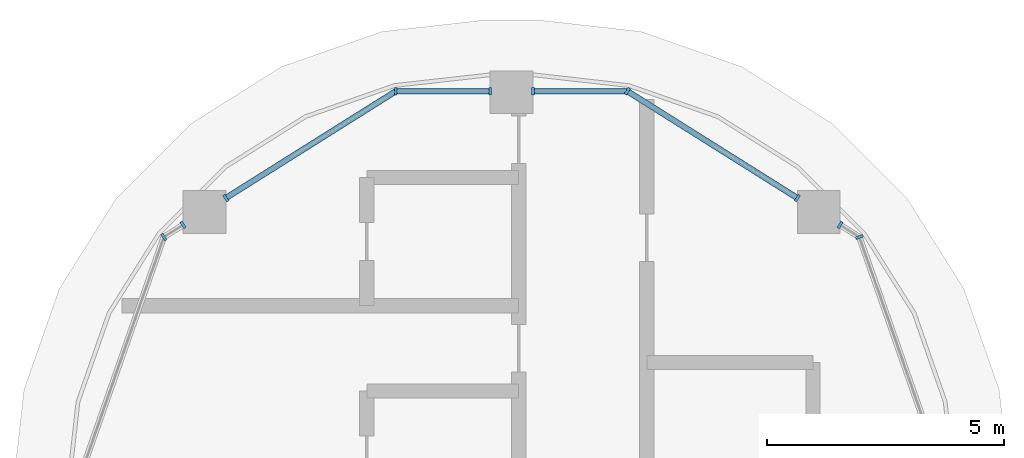
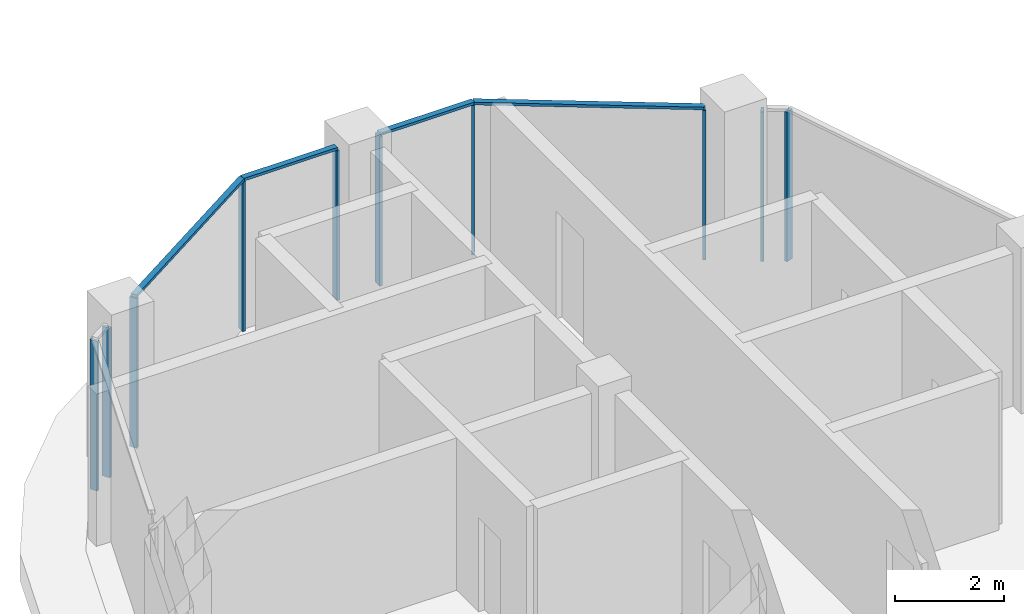
# One storey, part 5 of 20: 14 members, 4 elements without a shape of their own.
"""IFC4 building model written with IfcOpenShell, lengths in metres."""

from ifc_helpers import new_model, si_unit, direction, frame, origin, origin_2d, place, context, subcontext, project, spatial, rectangle, extrude, material, material_profile, profile_set, type_object, element, aggregate, save


model = new_model("IFC4")

# Units and contexts
model_context = context("Model", 3, precision=1e-05, world=origin(), true_north=direction((0.0, 1.0)))
body_context = subcontext(model_context, "Body", "Model", "MODEL_VIEW")
ifc_project = project(units=[si_unit("LENGTHUNIT", "METRE"), si_unit("AREAUNIT", "SQUARE_METRE"), si_unit("VOLUMEUNIT", "CUBIC_METRE"), si_unit("PLANEANGLEUNIT", "RADIAN"), si_unit("MASSUNIT", "GRAM", prefix="KILO")], contexts=[model_context])

# Site, building, storey
site_placement = place(None, origin())
site = spatial("IfcSite", under=ifc_project, at=site_placement, CompositionType="ELEMENT")
building_placement = place(site_placement, origin())
building = spatial("IfcBuilding", under=site, at=building_placement, Name="Ogive Portal Towers", CompositionType="ELEMENT")
storey_placement = place(building_placement, frame((0.0, 0.0, 214.300048828125)))
storey = spatial("IfcBuildingStorey", under=building, at=storey_placement, Name="L53", CompositionType="ELEMENT", Elevation=214.300048828125)

# Curtain wall, members
ifc_material_1 = material(Name="Glass, clear low-iron insulated glazing", Category="glass")
curtain_wall_type = type_object("IfcCurtainWallType", Name="CW FRONT RIBBON 4500", PredefinedType="NOTDEFINED", material=ifc_material_1)
curtain_wall_1_placement = place(storey_placement, origin())
curtain_wall_1 = element("IfcCurtainWall", 1, at=curtain_wall_1_placement, inside=storey, type_object=curtain_wall_type, Name="A:L53:f07:cwa~0", PredefinedType="NOTDEFINED")
ifc_material_2 = material(Name="Aluminium 6063 anodised", Category="aluminium")
ifc_material_profile_1 = material_profile(ifc_material_2, rectangle(XDim=0.159912109375, YDim=0.06005859375, at=origin_2d()), Name="AL 60x160")
ifc_profile_set_1 = profile_set([ifc_material_profile_1], Name="Aluminium 6063 anodised")
member_type_1 = type_object("IfcMemberType", Name="CW MULLION 60x160", PredefinedType="MULLION", material=ifc_profile_set_1)
member_1_placement = place(storey_placement, frame((47.82958984375, 54.4462890625, 0.0), z_axis=(0.0, 0.0, 1.0), x_axis=(-0.943883330307, -0.33027906196, 0.0)))
member_1 = element("IfcMember", 2, at=member_1_placement, type_object=member_type_1, Name="mullion", PredefinedType="MULLION", context=body_context, shape_type="SweptSolid", body=[
    extrude(rectangle(XDim=0.159912109375, YDim=0.06005859375, at=origin_2d()), origin(), (0.0, 0.0, 1.0), 3.33984375),
])
member_2_placement = place(storey_placement, frame((47.423095703125, 54.70166015625, 0.0), z_axis=(0.0, 0.0, 1.0), x_axis=(-0.532032076517, -0.846724199227, 0.0)))
member_2 = element("IfcMember", 3, at=member_2_placement, type_object=member_type_1, Name="mullion", PredefinedType="MULLION", context=body_context, shape_type="SweptSolid", body=[
    extrude(rectangle(XDim=0.159912109375, YDim=0.06005859375, at=origin_2d()), origin(), (0.0, 0.0, 1.0), 3.33984375),
])
aggregate(curtain_wall_1, [member_1, member_2])

curtain_wall_2_placement = place(storey_placement, origin())
curtain_wall_2 = element("IfcCurtainWall", 4, at=curtain_wall_2_placement, inside=storey, type_object=curtain_wall_type, Name="A:L53:f07:cwa~1", PredefinedType="NOTDEFINED")
member_3_placement = place(storey_placement, frame((46.52294921875, 55.267333984375, 0.0), z_axis=(0.0, 0.0, 1.0), x_axis=(-0.532032076517, -0.846724199227, 0.0)))
member_3 = element("IfcMember", 5, at=member_3_placement, type_object=member_type_1, Name="mullion", PredefinedType="MULLION", context=body_context, shape_type="SweptSolid", body=[
    extrude(rectangle(XDim=0.159912109375, YDim=0.06005859375, at=origin_2d()), origin(), (0.0, 0.0, 1.0), 3.33984375),
])
member_4_placement = place(storey_placement, frame((42.939697265625, 57.518798828125, 0.0), z_axis=(0.0, 0.0, 1.0), x_axis=(-0.532032076517, -0.846724199227, 0.0)))
member_4 = element("IfcMember", 6, at=member_4_placement, type_object=member_type_1, Name="mullion", PredefinedType="MULLION", context=body_context, shape_type="SweptSolid", body=[
    extrude(rectangle(XDim=0.159912109375, YDim=0.06005859375, at=origin_2d()), origin(), (0.0, 0.0, 1.0), 3.33984375),
])
member_5_placement = place(storey_placement, frame((40.949951171875, 57.518798828125, 0.0), z_axis=(0.0, 0.0, 1.0), x_axis=(0.0, -1.0, 0.0)))
member_5 = element("IfcMember", 7, at=member_5_placement, type_object=member_type_1, Name="mullion", PredefinedType="MULLION", context=body_context, shape_type="SweptSolid", body=[
    extrude(rectangle(XDim=0.159912109375, YDim=0.06005859375, at=origin_2d()), origin(), (0.0, 0.0, 1.0), 3.33984375),
])

curtain_wall_3_placement = place(storey_placement, origin())
curtain_wall_3 = element("IfcCurtainWall", 8, at=curtain_wall_3_placement, inside=storey, type_object=curtain_wall_type, Name="A:L53:f07:cwa~2", PredefinedType="NOTDEFINED")
member_6_placement = place(storey_placement, frame((40.050048828125, 57.518798828125, 0.0), z_axis=(0.0, 0.0, 1.0), x_axis=(0.0, -1.0, 0.0)))
member_6 = element("IfcMember", 9, at=member_6_placement, type_object=member_type_1, Name="mullion", PredefinedType="MULLION", context=body_context, shape_type="SweptSolid", body=[
    extrude(rectangle(XDim=0.159912109375, YDim=0.06005859375, at=origin_2d()), origin(), (0.0, 0.0, 1.0), 3.33984375),
])
member_7_placement = place(storey_placement, frame((38.060302734375, 57.518798828125, 0.0), z_axis=(0.0, 0.0, 1.0), x_axis=(0.0, -1.0, 0.0)))
member_7 = element("IfcMember", 10, at=member_7_placement, type_object=member_type_1, Name="mullion", PredefinedType="MULLION", context=body_context, shape_type="SweptSolid", body=[
    extrude(rectangle(XDim=0.159912109375, YDim=0.06005859375, at=origin_2d()), origin(), (0.0, 0.0, 1.0), 3.33984375),
])
member_8_placement = place(storey_placement, frame((34.47705078125, 55.267333984375, 0.0), z_axis=(0.0, 0.0, 1.0), x_axis=(0.532032076517, -0.846724199227, 0.0)))
member_8 = element("IfcMember", 11, at=member_8_placement, type_object=member_type_1, Name="mullion", PredefinedType="MULLION", context=body_context, shape_type="SweptSolid", body=[
    extrude(rectangle(XDim=0.159912109375, YDim=0.06005859375, at=origin_2d()), origin(), (0.0, 0.0, 1.0), 3.33984375),
])

curtain_wall_4_placement = place(storey_placement, origin())
curtain_wall_4 = element("IfcCurtainWall", 12, at=curtain_wall_4_placement, inside=storey, type_object=curtain_wall_type, Name="A:L53:f07:cwa~3", PredefinedType="NOTDEFINED")
member_9_placement = place(storey_placement, frame((33.576904296875, 54.70166015625, 0.0), z_axis=(0.0, 0.0, 1.0), x_axis=(0.532032076517, -0.846724199227, 0.0)))
member_9 = element("IfcMember", 13, at=member_9_placement, type_object=member_type_1, Name="mullion", PredefinedType="MULLION", context=body_context, shape_type="SweptSolid", body=[
    extrude(rectangle(XDim=0.159912109375, YDim=0.06005859375, at=origin_2d()), origin(), (0.0, 0.0, 1.0), 3.33984375),
])
member_10_placement = place(storey_placement, frame((33.17041015625, 54.4462890625, 0.0), z_axis=(0.0, 0.0, 1.0), x_axis=(0.532032076517, -0.846724199227, 0.0)))
member_10 = element("IfcMember", 14, at=member_10_placement, type_object=member_type_1, Name="mullion", PredefinedType="MULLION", context=body_context, shape_type="SweptSolid", body=[
    extrude(rectangle(XDim=0.159912109375, YDim=0.06005859375, at=origin_2d()), origin(), (0.0, 0.0, 1.0), 3.33984375),
])
aggregate(curtain_wall_4, [member_9, member_10])

# Member
ifc_material_profile_2 = material_profile(ifc_material_2, rectangle(XDim=0.1201171875, YDim=0.06005859375, at=origin_2d()), Name="AL 120x60")
ifc_profile_set_2 = profile_set([ifc_material_profile_2], Name="Aluminium 6063 anodised")
member_type_2 = type_object("IfcMemberType", Name="CW TRANSOM 60x120", PredefinedType="USERDEFINED", material=ifc_profile_set_2)
member_11_placement = place(storey_placement, frame((46.52294921875, 55.267333984375, 3.369873046875), z_axis=(-0.846728625852, 0.532025031519, 0.0), x_axis=(-0.532025031519, -0.846728625852, 0.0)))
member_11 = element("IfcMember", 15, at=member_11_placement, type_object=member_type_2, Name="transom", ObjectType="TRANSOM", PredefinedType="USERDEFINED", context=body_context, shape_type="SweptSolid", body=[
    extrude(rectangle(XDim=0.1201171875, YDim=0.06005859375, at=origin_2d()), origin(), (0.0, 0.0, 1.0), 4.23193359375),
])

member_12_placement = place(storey_placement, frame((42.939697265625, 57.518798828125, 3.369873046875), z_axis=(-1.0, 0.0, 0.0), x_axis=(0.0, -1.0, 0.0)))
member_12 = element("IfcMember", 16, at=member_12_placement, type_object=member_type_2, Name="transom", ObjectType="TRANSOM", PredefinedType="USERDEFINED", context=body_context, shape_type="SweptSolid", body=[
    extrude(rectangle(XDim=0.1201171875, YDim=0.06005859375, at=origin_2d()), origin(), (0.0, 0.0, 1.0), 1.98974609375),
])

aggregate(curtain_wall_2, [member_11, member_12, member_3, member_4, member_5])

member_13_placement = place(storey_placement, frame((40.050048828125, 57.518798828125, 3.369873046875), z_axis=(-1.0, 0.0, 0.0), x_axis=(0.0, -1.0, 0.0)))
member_13 = element("IfcMember", 17, at=member_13_placement, type_object=member_type_2, Name="transom", ObjectType="TRANSOM", PredefinedType="USERDEFINED", context=body_context, shape_type="SweptSolid", body=[
    extrude(rectangle(XDim=0.1201171875, YDim=0.06005859375, at=origin_2d()), origin(), (0.0, 0.0, 1.0), 1.98974609375),
])

member_14_placement = place(storey_placement, frame((38.060302734375, 57.518798828125, 3.369873046875), z_axis=(-0.846728625852, -0.532025031519, 0.0), x_axis=(0.532025031519, -0.846728625852, 0.0)))
member_14 = element("IfcMember", 18, at=member_14_placement, type_object=member_type_2, Name="transom", ObjectType="TRANSOM", PredefinedType="USERDEFINED", context=body_context, shape_type="SweptSolid", body=[
    extrude(rectangle(XDim=0.1201171875, YDim=0.06005859375, at=origin_2d()), origin(), (0.0, 0.0, 1.0), 4.23193359375),
])

aggregate(curtain_wall_3, [member_13, member_14, member_6, member_7, member_8])

save(model, "model.ifc")
